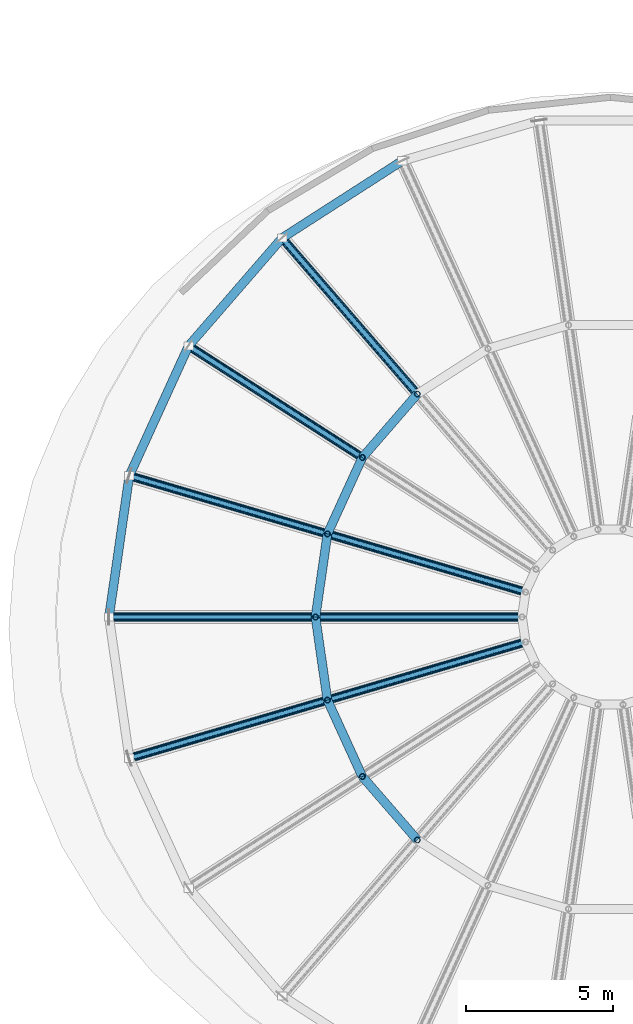
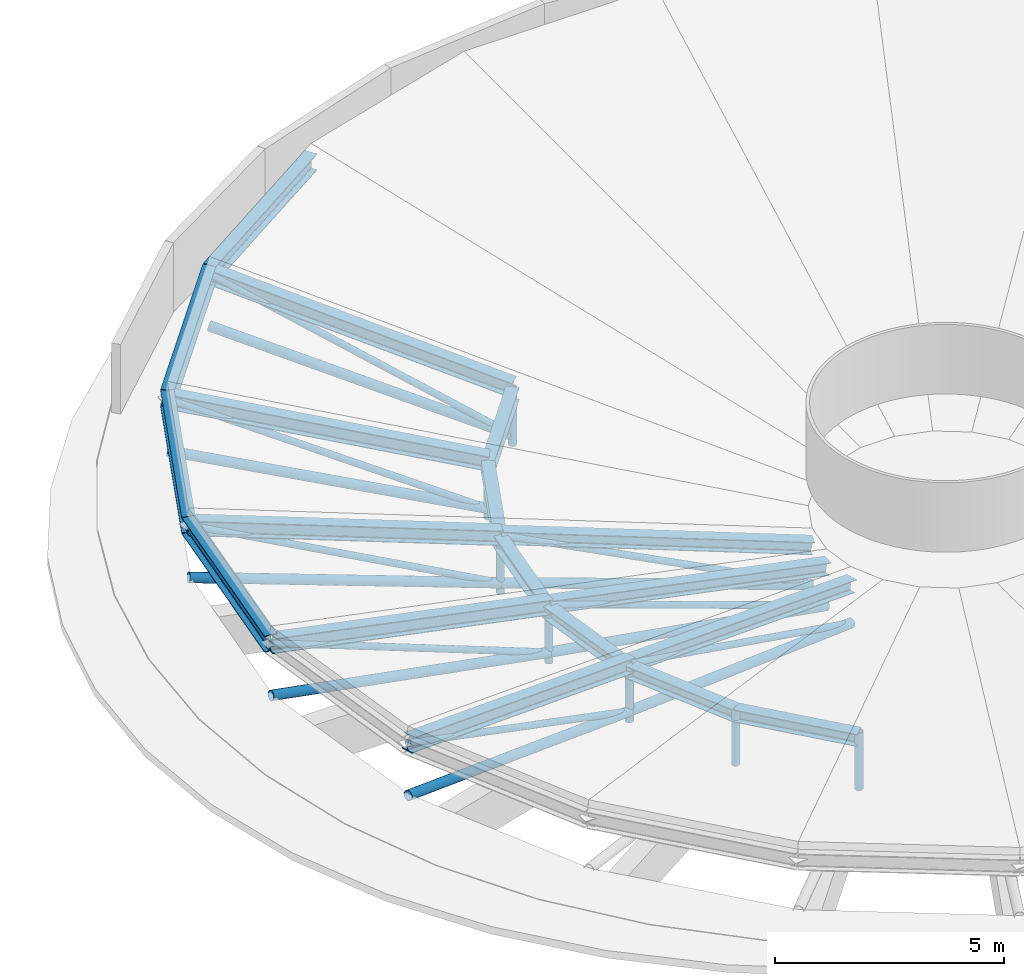
# One storey, part 2 of 69: 31 members, 10 beams.
"""IFC4 building model written with IfcOpenShell, lengths in metres."""

from ifc_helpers import new_model, si_unit, direction, frame, origin, origin_2d, place, context, subcontext, project, spatial, hollow_circle, i_section, extrude, material, material_profile, profile_set, type_object, element, save


model = new_model("IFC4")

# Units and contexts
model_context = context("Model", 3, precision=1e-05, world=origin(), true_north=direction((0.0, 1.0)))
body_context = subcontext(model_context, "Body", "Model", "MODEL_VIEW")
ifc_project = project(units=[si_unit("LENGTHUNIT", "METRE"), si_unit("AREAUNIT", "SQUARE_METRE"), si_unit("VOLUMEUNIT", "CUBIC_METRE"), si_unit("PLANEANGLEUNIT", "RADIAN"), si_unit("MASSUNIT", "GRAM", prefix="KILO")], contexts=[model_context])

# Site, building, storey
site_placement = place(None, origin())
site = spatial("IfcSite", under=ifc_project, at=site_placement, CompositionType="ELEMENT")
building_placement = place(site_placement, origin())
building = spatial("IfcBuilding", under=site, at=building_placement, Name="Pelvatis Terrace Science Centre", CompositionType="ELEMENT")
storey_placement = place(building_placement, frame((0.0, 0.0, 15.0)))
storey = spatial("IfcBuildingStorey", under=building, at=storey_placement, Name="L03", CompositionType="ELEMENT", Elevation=15.0)

# Beams
ifc_material_1 = material(Name="Structural steel S355", Category="steel")
ifc_material_profile_1 = material_profile(ifc_material_1, i_section(OverallWidth=0.300048828125, OverallDepth=0.330078125, WebThickness=0.009521484375, FlangeThickness=0.0166015625, FilletRadius=0.027099609375, at=origin_2d()), Name="HEA 340")
ifc_profile_set_1 = profile_set([ifc_material_profile_1], Name="Structural steel S355")
beam_type_1 = type_object("IfcBeamType", Name="BM-STL-HEA340", PredefinedType="BEAM", material=ifc_profile_set_1)
for number, where, z_axis, x_axis, name in (
    (1, (71.451416015625, 62.157470703125, -0.179931640625), (-0.654871758442, -0.755740021432, 0.0), (0.755740021432, -0.654871758442, 0.0), "Bowl roof circumferential mid member 09"),
    (2, (69.58740234375, 60.00634765625, -0.179931640625), (-0.415404990183, -0.909636572556, 0.0), (0.909636572556, -0.415404990183, 0.0), "Bowl roof circumferential mid member 10"),
):
    element("IfcBeam", number, at=place(storey_placement, frame(where, z_axis=z_axis, x_axis=x_axis)), inside=storey, type_object=beam_type_1, Name=name, PredefinedType="BEAM", context=body_context, shape_type="SweptSolid", body=[
        extrude(i_section(OverallWidth=0.300048828125, OverallDepth=0.330078125, WebThickness=0.009521484375, FlangeThickness=0.0166015625, FilletRadius=0.027099609375, at=origin_2d()), origin(), (0.0, 0.0, 1.0), 2.846435546875),
    ])
beam_1_placement = place(storey_placement, frame((68.405029296875, 57.417236328125, -0.179931640625), z_axis=(-0.142309986086, -0.989822139508, 0.0), x_axis=(0.989822139508, -0.142309986086, 0.0)))
element("IfcBeam", 3, at=beam_1_placement, inside=storey, type_object=beam_type_1, Name="Bowl roof circumferential mid member 11", PredefinedType="BEAM", context=body_context, shape_type="SweptSolid", body=[
    extrude(i_section(OverallWidth=0.300048828125, OverallDepth=0.330078125, WebThickness=0.009521484375, FlangeThickness=0.0166015625, FilletRadius=0.027099609375, at=origin_2d()), origin(), (0.0, 0.0, 1.0), 2.84619140625),
])
for number, where, z_axis, x_axis, name in (
    (4, (68.0, 54.60009765625, -0.179931640625), (0.142297903913, -0.989823876526, 0.0), (0.989823876526, 0.142297903913, 0.0), "Bowl roof circumferential mid member 12"),
    (5, (68.405029296875, 51.78271484375, -0.179931640625), (0.415404990183, -0.909636572556, 0.0), (0.909636572556, 0.415404990183, 0.0), "Bowl roof circumferential mid member 13"),
    (6, (69.58740234375, 49.193603515625, -0.179931640625), (0.654871758442, -0.755740021432, 0.0), (0.755740021432, 0.654871758442, 0.0), "Bowl roof circumferential mid member 14"),
):
    element("IfcBeam", number, at=place(storey_placement, frame(where, z_axis=z_axis, x_axis=x_axis)), inside=storey, type_object=beam_type_1, Name=name, PredefinedType="BEAM", context=body_context, shape_type="SweptSolid", body=[
        extrude(i_section(OverallWidth=0.300048828125, OverallDepth=0.330078125, WebThickness=0.009521484375, FlangeThickness=0.0166015625, FilletRadius=0.027099609375, at=origin_2d()), origin(), (0.0, 0.0, 1.0), 2.846435546875),
    ])
ifc_material_2 = material(Name="Structural steel S355", Category="steel")
ifc_material_profile_2 = material_profile(ifc_material_2, i_section(OverallWidth=0.300048828125, OverallDepth=0.43994140625, WebThickness=0.011474609375, FlangeThickness=0.02099609375, FilletRadius=0.027099609375, at=origin_2d()), Name="HEA 450")
ifc_profile_set_2 = profile_set([ifc_material_profile_2], Name="Structural steel S355")
beam_type_2 = type_object("IfcBeamType", Name="BM-STL-HEA450", PredefinedType="BEAM", material=ifc_profile_set_2)
for number, where, z_axis, x_axis, name in (
    (7, (70.93798828125, 70.063720703125, 1.39990234375), (-0.841255517216, -0.540637729681, 0.0), (0.540637729681, -0.841255517216, 0.0), "Bowl roof circumferential out member 08"),
    (8, (66.867431640625, 67.44775390625, 1.39990234375), (-0.654874829596, -0.755737360173, 0.0), (0.755737360173, -0.654874829596, 0.0), "Bowl roof circumferential out member 09"),
):
    element("IfcBeam", number, at=place(storey_placement, frame(where, z_axis=z_axis, x_axis=x_axis)), inside=storey, type_object=beam_type_2, Name=name, PredefinedType="BEAM", context=body_context, shape_type="SweptSolid", body=[
        extrude(i_section(OverallWidth=0.300048828125, OverallDepth=0.43994140625, WebThickness=0.011474609375, FlangeThickness=0.02099609375, FilletRadius=0.027099609375, at=origin_2d()), origin(), (0.0, 0.0, 1.0), 4.838623046875),
    ])
beam_2_placement = place(storey_placement, frame((63.69873046875, 63.791015625, 1.39990234375), z_axis=(-0.415391282796, -0.909642832202, 0.0), x_axis=(0.909642832202, -0.415391282796, 0.0)))
element("IfcBeam", 9, at=beam_2_placement, inside=storey, type_object=beam_type_2, Name="Bowl roof circumferential out member 10", PredefinedType="BEAM", context=body_context, shape_type="SweptSolid", body=[
    extrude(i_section(OverallWidth=0.300048828125, OverallDepth=0.43994140625, WebThickness=0.011474609375, FlangeThickness=0.02099609375, FilletRadius=0.027099609375, at=origin_2d()), origin(), (0.0, 0.0, 1.0), 4.8388671875),
])
beam_3_placement = place(storey_placement, frame((61.688720703125, 59.389404296875, 1.39990234375), z_axis=(-0.142339615489, -0.989817879139, 0.0), x_axis=(0.989817879139, -0.142339615489, 0.0)))
element("IfcBeam", 10, at=beam_3_placement, inside=storey, type_object=beam_type_2, Name="Bowl roof circumferential out member 11", PredefinedType="BEAM", context=body_context, shape_type="SweptSolid", body=[
    extrude(i_section(OverallWidth=0.300048828125, OverallDepth=0.43994140625, WebThickness=0.011474609375, FlangeThickness=0.02099609375, FilletRadius=0.027099609375, at=origin_2d()), origin(), (0.0, 0.0, 1.0), 4.838623046875),
])

# Members
ifc_material_3 = material(Name="Structural steel S355", Category="steel")
ifc_material_profile_3 = material_profile(ifc_material_3, hollow_circle(Radius=0.084228515625, WallThickness=0.00634765625, at=origin_2d()), Name="CHS 168.3x6.3")
ifc_profile_set_3 = profile_set([ifc_material_profile_3], Name="Structural steel S355")
member_type_1 = type_object("IfcMemberType", Name="MEM-BRC-CHS168", PredefinedType="BRACE", material=ifc_profile_set_3)
for number, where, z_axis, x_axis, name in (
    (11, (66.867431640625, 67.44775390625, 1.39990234375), (0.610982099152, -0.705122023143, -0.359866373803), (0.755754672976, 0.654854849776, 0.0), "Bowl truss web brace 09.3"),
    (12, (63.69873046875, 63.791015625, 1.39990234375), (0.784877898523, -0.504443498462, -0.359865865662), (0.540665925354, 0.841237396435, 0.0), "Bowl truss web brace 10.3"),
):
    element("IfcMember", number, at=place(storey_placement, frame(where, z_axis=z_axis, x_axis=x_axis)), inside=storey, type_object=member_type_1, Name=name, PredefinedType="BRACE", context=body_context, shape_type="SweptSolid", body=[
        extrude(hollow_circle(Radius=0.084228515625, WallThickness=0.00634765625, at=origin_2d()), origin(), (0.0, 0.0, 1.0), 7.502685546875),
    ])
member_1_placement = place(storey_placement, frame((61.688720703125, 59.389404296875, 1.39990234375), z_axis=(0.895205610631, -0.26286699101, -0.359872004652), x_axis=(0.281743319258, 0.959489813418, 0.0)))
element("IfcMember", 13, at=member_1_placement, inside=storey, type_object=member_type_1, Name="Bowl truss web brace 11.3", PredefinedType="BRACE", context=body_context, shape_type="SweptSolid", body=[
    extrude(hollow_circle(Radius=0.084228515625, WallThickness=0.00634765625, at=origin_2d()), origin(), (0.0, 0.0, 1.0), 7.50244140625),
])
member_2_placement = place(storey_placement, frame((68.405029296875, 57.417236328125, -0.02001953125), z_axis=(0.90442020385, -0.265530223783, -0.333942802178), x_axis=(0.281701782175, 0.959502009336, 0.0)))
element("IfcMember", 14, at=member_2_placement, inside=storey, type_object=member_type_1, Name="Bowl truss web brace 11.4", PredefinedType="BRACE", context=body_context, shape_type="SweptSolid", body=[
    extrude(hollow_circle(Radius=0.084228515625, WallThickness=0.00634765625, at=origin_2d()), origin(), (0.0, 0.0, 1.0), 7.42626953125),
])
member_3_placement = place(storey_placement, frame((61.0, 54.60009765625, 1.39990234375), z_axis=(0.933003843521, 0.0, -0.359866402954), x_axis=(0.0, 1.0, 0.0)))
element("IfcMember", 15, at=member_3_placement, inside=storey, type_object=member_type_1, Name="Bowl truss web brace 12.3", PredefinedType="BRACE", context=body_context, shape_type="SweptSolid", body=[
    extrude(hollow_circle(Radius=0.084228515625, WallThickness=0.00634765625, at=origin_2d()), origin(), (0.0, 0.0, 1.0), 7.502685546875),
])
member_4_placement = place(storey_placement, frame((68.0, 54.60009765625, -0.02001953125), z_axis=(0.942592734953, 0.0, -0.333944510381), x_axis=(0.0, 1.0, 0.0)))
element("IfcMember", 16, at=member_4_placement, inside=storey, type_object=member_type_1, Name="Bowl truss web brace 12.4", PredefinedType="BRACE", context=body_context, shape_type="SweptSolid", body=[
    extrude(hollow_circle(Radius=0.084228515625, WallThickness=0.00634765625, at=origin_2d()), origin(), (0.0, 0.0, 1.0), 7.42626953125),
])
member_5_placement = place(storey_placement, frame((61.688720703125, 49.810546875, 1.39990234375), z_axis=(0.895205610631, 0.26286699101, -0.359872004652), x_axis=(-0.281743319258, 0.959489813418, 0.0)))
element("IfcMember", 17, at=member_5_placement, inside=storey, type_object=member_type_1, Name="Bowl truss web brace 13.3", PredefinedType="BRACE", context=body_context, shape_type="SweptSolid", body=[
    extrude(hollow_circle(Radius=0.084228515625, WallThickness=0.00634765625, at=origin_2d()), origin(), (0.0, 0.0, 1.0), 7.50244140625),
])
member_6_placement = place(storey_placement, frame((68.405029296875, 51.78271484375, -0.02001953125), z_axis=(0.904412308538, 0.265560780356, -0.333939886959), x_axis=(-0.281733891035, 0.959492581859, 0.0)))
element("IfcMember", 18, at=member_6_placement, inside=storey, type_object=member_type_1, Name="Bowl truss web brace 13.4", PredefinedType="BRACE", context=body_context, shape_type="SweptSolid", body=[
    extrude(hollow_circle(Radius=0.084228515625, WallThickness=0.00634765625, at=origin_2d()), origin(), (0.0, 0.0, 1.0), 7.426513671875),
])
ifc_material_4 = material(Name="Structural steel S355", Category="steel")
ifc_material_profile_4 = material_profile(ifc_material_4, hollow_circle(Radius=0.122314453125, WallThickness=0.010009765625, at=origin_2d()), Name="CHS 244.5x10.0")
ifc_profile_set_4 = profile_set([ifc_material_profile_4], Name="Structural steel S355")
member_type_2 = type_object("IfcMemberType", Name="MEM-CHD-CHS244", PredefinedType="CHORD", material=ifc_profile_set_4)
for number, where, z_axis, x_axis, name in (
    (19, (66.867431640625, 67.44775390625, 0.0), (0.643845107793, -0.743048553513, -0.182598806934), (0.755754672976, 0.654854849776, 0.0), "Bowl truss outer bottom chord 09"),
    (20, (63.69873046875, 63.791015625, 0.0), (0.827094144093, -0.531576012509, -0.182598520618), (0.540665925354, 0.841237396435, 0.0), "Bowl truss outer bottom chord 10"),
    (21, (61.688720703125, 59.389404296875, 0.0), (0.943357833134, -0.277006345913, -0.182601979696), (0.281743319258, 0.959489813418, 0.0), "Bowl truss outer bottom chord 11"),
):
    element("IfcMember", number, at=place(storey_placement, frame(where, z_axis=z_axis, x_axis=x_axis)), inside=storey, type_object=member_type_2, Name=name, PredefinedType="CHORD", context=body_context, shape_type="SweptSolid", body=[
        extrude(hollow_circle(Radius=0.122314453125, WallThickness=0.010009765625, at=origin_2d()), origin(), (0.0, 0.0, 1.0), 7.11962890625),
    ])
member_7_placement = place(storey_placement, frame((68.405029296875, 57.417236328125, -1.300048828125), z_axis=(0.945707787928, -0.277651913892, -0.168956191257), x_axis=(0.281701782175, 0.959502009336, 0.0)))
element("IfcMember", 22, at=member_7_placement, inside=storey, type_object=member_type_2, Name="Bowl truss inner bottom chord 11", PredefinedType="CHORD", context=body_context, shape_type="SweptSolid", body=[
    extrude(hollow_circle(Radius=0.122314453125, WallThickness=0.010009765625, at=origin_2d()), origin(), (0.0, 0.0, 1.0), 7.10205078125),
])
member_8_placement = place(storey_placement, frame((61.0, 54.60009765625, 0.0), z_axis=(0.983187504857, 0.0, -0.18259882336), x_axis=(0.0, 1.0, 0.0)))
element("IfcMember", 23, at=member_8_placement, inside=storey, type_object=member_type_2, Name="Bowl truss outer bottom chord 12", PredefinedType="CHORD", context=body_context, shape_type="SweptSolid", body=[
    extrude(hollow_circle(Radius=0.122314453125, WallThickness=0.010009765625, at=origin_2d()), origin(), (0.0, 0.0, 1.0), 7.11962890625),
])
member_9_placement = place(storey_placement, frame((68.0, 54.60009765625, -1.300048828125), z_axis=(0.985623399742, 0.0, -0.168957136221), x_axis=(0.0, 1.0, 0.0)))
element("IfcMember", 24, at=member_9_placement, inside=storey, type_object=member_type_2, Name="Bowl truss inner bottom chord 12", PredefinedType="CHORD", context=body_context, shape_type="SweptSolid", body=[
    extrude(hollow_circle(Radius=0.122314453125, WallThickness=0.010009765625, at=origin_2d()), origin(), (0.0, 0.0, 1.0), 7.10205078125),
])
member_10_placement = place(storey_placement, frame((61.688720703125, 49.810546875, 0.0), z_axis=(0.943357833134, 0.277006345913, -0.182601979696), x_axis=(-0.281743319258, 0.959489813418, 0.0)))
element("IfcMember", 25, at=member_10_placement, inside=storey, type_object=member_type_2, Name="Bowl truss outer bottom chord 13", PredefinedType="CHORD", context=body_context, shape_type="SweptSolid", body=[
    extrude(hollow_circle(Radius=0.122314453125, WallThickness=0.010009765625, at=origin_2d()), origin(), (0.0, 0.0, 1.0), 7.11962890625),
])
member_11_placement = place(storey_placement, frame((68.405029296875, 51.78271484375, -1.300048828125), z_axis=(0.945698761231, 0.277683639025, -0.168954578585), x_axis=(-0.281733891035, 0.959492581859, 0.0)))
element("IfcMember", 26, at=member_11_placement, inside=storey, type_object=member_type_2, Name="Bowl truss inner bottom chord 13", PredefinedType="CHORD", context=body_context, shape_type="SweptSolid", body=[
    extrude(hollow_circle(Radius=0.122314453125, WallThickness=0.010009765625, at=origin_2d()), origin(), (0.0, 0.0, 1.0), 7.102294921875),
])
ifc_material_5 = material(Name="Structural steel S355", Category="steel")
ifc_material_profile_5 = material_profile(ifc_material_5, i_section(OverallWidth=0.300048828125, OverallDepth=0.330078125, WebThickness=0.009521484375, FlangeThickness=0.0166015625, FilletRadius=0.027099609375, at=origin_2d()), Name="HEA 340")
ifc_profile_set_5 = profile_set([ifc_material_profile_5], Name="Structural steel S355")
member_type_3 = type_object("IfcMemberType", Name="MEM-CHD-HEA340", PredefinedType="CHORD", material=ifc_profile_set_5)
for number, where, z_axis, x_axis, name in (
    (27, (68.405029296875, 57.417236328125, -0.02001953125), (0.940088373778, -0.276002100796, -0.200141674429), (0.281701782175, 0.959502009336, 0.0), "Bowl truss inner top chord 11"),
    (28, (68.0, 54.60009765625, -0.02001953125), (0.979766741319, 0.0, -0.200142780549), (0.0, 1.0, 0.0), "Bowl truss inner top chord 12"),
):
    element("IfcMember", number, at=place(storey_placement, frame(where, z_axis=z_axis, x_axis=x_axis)), inside=storey, type_object=member_type_3, Name=name, PredefinedType="CHORD", context=body_context, shape_type="SweptSolid", body=[
        extrude(i_section(OverallWidth=0.300048828125, OverallDepth=0.330078125, WebThickness=0.009521484375, FlangeThickness=0.0166015625, FilletRadius=0.027099609375, at=origin_2d()), origin(), (0.0, 0.0, 1.0), 7.14453125),
    ])
member_12_placement = place(storey_placement, frame((68.405029296875, 51.78271484375, -0.02001953125), z_axis=(0.940079507035, 0.276033668635, -0.200139786729), x_axis=(-0.281733891035, 0.959492581859, 0.0)))
element("IfcMember", 29, at=member_12_placement, inside=storey, type_object=member_type_3, Name="Bowl truss inner top chord 13", PredefinedType="CHORD", context=body_context, shape_type="SweptSolid", body=[
    extrude(i_section(OverallWidth=0.300048828125, OverallDepth=0.330078125, WebThickness=0.009521484375, FlangeThickness=0.0166015625, FilletRadius=0.027099609375, at=origin_2d()), origin(), (0.0, 0.0, 1.0), 7.144775390625),
])
ifc_material_6 = material(Name="Structural steel S355", Category="steel")
ifc_material_profile_6 = material_profile(ifc_material_6, i_section(OverallWidth=0.300048828125, OverallDepth=0.389892578125, WebThickness=0.010986328125, FlangeThickness=0.01904296875, FilletRadius=0.027099609375, at=origin_2d()), Name="HEA 400")
ifc_profile_set_6 = profile_set([ifc_material_profile_6], Name="Structural steel S355")
member_type_4 = type_object("IfcMemberType", Name="MEM-CHD-HEA400", PredefinedType="CHORD", material=ifc_profile_set_6)
for number, where, z_axis, x_axis, name in (
    (30, (66.867431640625, 67.44775390625, 1.39990234375), (0.641784360423, -0.740670286856, -0.198797285909), (0.755754672976, 0.654854849776, 0.0), "Bowl truss outer top chord 09"),
    (31, (63.69873046875, 63.791015625, 1.39990234375), (0.824446881977, -0.529874608806, -0.198796976185), (0.540665925354, 0.841237396435, 0.0), "Bowl truss outer top chord 10"),
):
    element("IfcMember", number, at=place(storey_placement, frame(where, z_axis=z_axis, x_axis=x_axis)), inside=storey, type_object=member_type_4, Name=name, PredefinedType="CHORD", context=body_context, shape_type="SweptSolid", body=[
        extrude(i_section(OverallWidth=0.300048828125, OverallDepth=0.389892578125, WebThickness=0.010986328125, FlangeThickness=0.01904296875, FilletRadius=0.027099609375, at=origin_2d()), origin(), (0.0, 0.0, 1.0), 7.142578125),
    ])
member_13_placement = place(storey_placement, frame((61.688720703125, 59.389404296875, 1.39990234375), z_axis=(0.940338334526, -0.276119704337, -0.198800718052), x_axis=(0.281743319258, 0.959489813418, 0.0)))
element("IfcMember", 32, at=member_13_placement, inside=storey, type_object=member_type_4, Name="Bowl truss outer top chord 11", PredefinedType="CHORD", context=body_context, shape_type="SweptSolid", body=[
    extrude(i_section(OverallWidth=0.300048828125, OverallDepth=0.389892578125, WebThickness=0.010986328125, FlangeThickness=0.01904296875, FilletRadius=0.027099609375, at=origin_2d()), origin(), (0.0, 0.0, 1.0), 7.142333984375),
])
member_14_placement = place(storey_placement, frame((61.0, 54.60009765625, 1.39990234375), z_axis=(0.980040627755, 0.0, -0.198797303677), x_axis=(0.0, 1.0, 0.0)))
element("IfcMember", 33, at=member_14_placement, inside=storey, type_object=member_type_4, Name="Bowl truss outer top chord 12", PredefinedType="CHORD", context=body_context, shape_type="SweptSolid", body=[
    extrude(i_section(OverallWidth=0.300048828125, OverallDepth=0.389892578125, WebThickness=0.010986328125, FlangeThickness=0.01904296875, FilletRadius=0.027099609375, at=origin_2d()), origin(), (0.0, 0.0, 1.0), 7.142578125),
])
member_15_placement = place(storey_placement, frame((61.688720703125, 49.810546875, 1.39990234375), z_axis=(0.940338334526, 0.276119704337, -0.198800718052), x_axis=(-0.281743319258, 0.959489813418, 0.0)))
element("IfcMember", 34, at=member_15_placement, inside=storey, type_object=member_type_4, Name="Bowl truss outer top chord 13", PredefinedType="CHORD", context=body_context, shape_type="SweptSolid", body=[
    extrude(i_section(OverallWidth=0.300048828125, OverallDepth=0.389892578125, WebThickness=0.010986328125, FlangeThickness=0.01904296875, FilletRadius=0.027099609375, at=origin_2d()), origin(), (0.0, 0.0, 1.0), 7.142333984375),
])
ifc_material_7 = material(Name="Structural steel S355", Category="steel")
ifc_material_profile_7 = material_profile(ifc_material_7, hollow_circle(Radius=0.096923828125, WallThickness=0.008056640625, at=origin_2d()), Name="CHS 193.7x8.0")
ifc_profile_set_7 = profile_set([ifc_material_profile_7], Name="Structural steel S355")
member_type_5 = type_object("IfcMemberType", Name="MEM-STR-CHS194", PredefinedType="STRUT", material=ifc_profile_set_7)
for number, where, z_axis, x_axis, name in (
    (35, (68.0, 54.60009765625, -1.550048828125), (0.0, 0.0, 1.0), (1.0, 0.0, 0.0), "Bowl truss mid vertical post 12"),
    (36, (68.405029296875, 51.78271484375, -1.550048828125), (0.0, 0.0, 1.0), (1.0, 0.0, 0.0), "Bowl truss mid vertical post 13"),
    (37, (69.58740234375, 49.193603515625, -1.550048828125), (0.0, 0.0, 1.0), (1.0, 0.0, 0.0), "Bowl truss mid vertical post 14"),
    (38, (71.451416015625, 47.04248046875, -1.550048828125), (0.0, 0.0, 1.0), (1.0, 0.0, 0.0), "Bowl truss mid vertical post 15"),
    (39, (71.451416015625, 62.157470703125, -1.550048828125), (0.0, 0.0, 1.0), (1.0, 0.0, 0.0), "Bowl truss mid vertical post 09"),
    (40, (69.58740234375, 60.00634765625, -1.550048828125), (0.0, 0.0, 1.0), (1.0, 0.0, 0.0), "Bowl truss mid vertical post 10"),
    (41, (68.405029296875, 57.417236328125, -1.550048828125), (0.0, 0.0, 1.0), (1.0, 0.0, 0.0), "Bowl truss mid vertical post 11"),
):
    element("IfcMember", number, at=place(storey_placement, frame(where, z_axis=z_axis, x_axis=x_axis)), inside=storey, type_object=member_type_5, Name=name, PredefinedType="STRUT", context=body_context, shape_type="SweptSolid", body=[
        extrude(hollow_circle(Radius=0.096923828125, WallThickness=0.008056640625, at=origin_2d()), origin(), (0.0, 0.0, 1.0), 1.530029296875),
    ])

save(model, "model.ifc")
